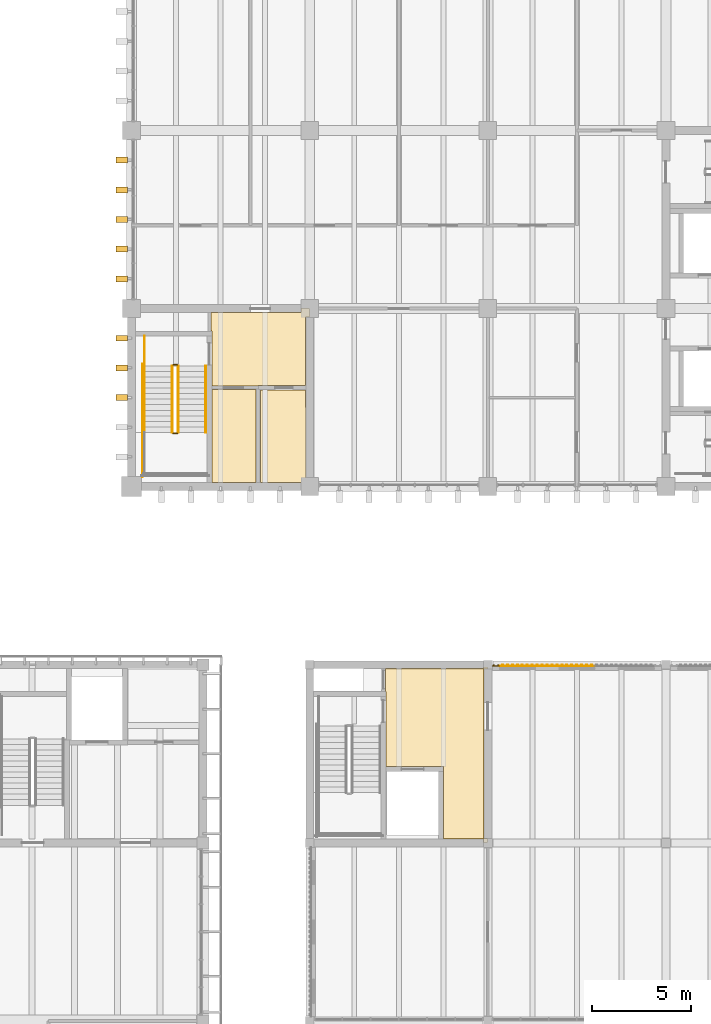
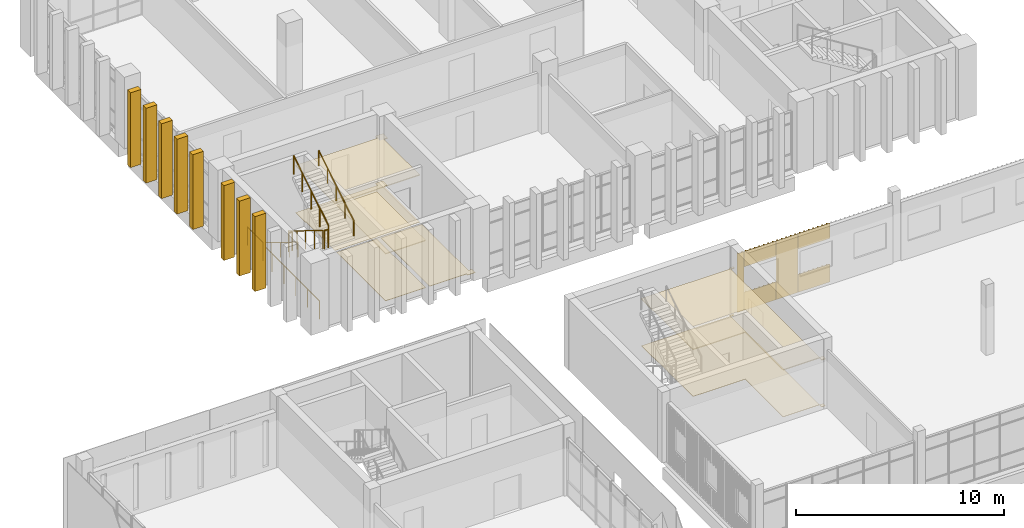
# One storey, part 83 of 88: 13 coverings, 8 railings, 8 shading devices.
"""IFC4 building model written with IfcOpenShell, lengths in metres."""

from ifc_helpers import new_model, si_unit, direction, frame, origin, origin_2d, place, context, subcontext, project, spatial, polyline, circle, outline, extrude, source, transform, mapped, material, layer, layer_set, type_object, element, save


model = new_model("IFC4")

# Units and contexts
model_context = context("Model", 3, precision=1e-05, world=origin(), true_north=direction((0.0, 1.0)))
body_context = subcontext(model_context, "Body", "Model", "MODEL_VIEW")
ifc_project = project(units=[si_unit("LENGTHUNIT", "METRE"), si_unit("AREAUNIT", "SQUARE_METRE"), si_unit("VOLUMEUNIT", "CUBIC_METRE"), si_unit("PLANEANGLEUNIT", "RADIAN"), si_unit("MASSUNIT", "GRAM", prefix="KILO")], contexts=[model_context])

# Site, building, storey
site_placement = place(None, origin())
site = spatial("IfcSite", under=ifc_project, at=site_placement, CompositionType="ELEMENT")
building_placement = place(site_placement, origin())
building = spatial("IfcBuilding", under=site, at=building_placement, Name="Merrow Basin Faculty of Sciences", CompositionType="ELEMENT")
storey_placement = place(building_placement, frame((0.0, 0.0, 9.0)))
storey = spatial("IfcBuildingStorey", under=building, at=storey_placement, Name="L02", CompositionType="ELEMENT", Elevation=9.0)

# Coverings
ifc_material_1 = material(Name="Carpet tile floor")
ifc_layer_1 = layer(ifc_material_1, 0.02001953125)
ifc_layer_set_1 = layer_set([ifc_layer_1], Name="Carpet tile floor")
covering_type_1 = type_object("IfcCoveringType", Name="Carpet tile floor", PredefinedType="FLOORING", material=ifc_layer_set_1)
covering_1_placement = place(storey_placement, origin())
element("IfcCovering", 1, at=covering_1_placement, inside=storey, type_object=covering_type_1, Name="Floor finish L02-T-011", PredefinedType="FLOORING", context=body_context, shape_type="SweptSolid", body=[
    extrude(outline(polyline([(26.989990234375, 142.110107421875), (26.56005859375, 142.110107421875), (26.56005859375, 142.2099609375), (24.510009765625, 142.2099609375), (24.510009765625, 146.889892578125), (26.7900390625, 146.889892578125), (26.7900390625, 142.43994140625), (26.989990234375, 142.43994140625), (26.989990234375, 142.110107421875)])), origin(), (0.0, 0.0, 1.0), 0.02001953125),
])
ifc_material_2 = material(Name="Ceramic floor tile")
ifc_layer_2 = layer(ifc_material_2, 0.02001953125)
ifc_layer_set_2 = layer_set([ifc_layer_2], Name="Ceramic floor tile")
covering_type_2 = type_object("IfcCoveringType", Name="Ceramic floor tile", PredefinedType="FLOORING", material=ifc_layer_set_2)
covering_2_placement = place(storey_placement, origin())
element("IfcCovering", 2, at=covering_2_placement, inside=storey, type_object=covering_type_2, Name="Floor finish L02-T-010", PredefinedType="FLOORING", context=body_context, shape_type="SweptSolid", body=[
    extrude(outline(polyline([(24.2900390625, 146.9150390625), (24.2900390625, 142.2099609375), (22.06005859375, 142.2099609375), (22.06005859375, 146.9150390625), (24.2900390625, 146.9150390625)])), origin(), (0.0, 0.0, 1.0), 0.02001953125),
])
ifc_material_3 = material(Name="Polished terrazzo floor")
ifc_layer_3 = layer(ifc_material_3, 0.02001953125)
ifc_layer_set_3 = layer_set([ifc_layer_3], Name="Polished terrazzo floor")
covering_type_3 = type_object("IfcCoveringType", Name="Polished terrazzo floor", PredefinedType="FLOORING", material=ifc_layer_set_3)
covering_3_placement = place(storey_placement, origin())
element("IfcCovering", 3, at=covering_3_placement, inside=storey, type_object=covering_type_3, Name="Floor finish L02-T-009", PredefinedType="FLOORING", context=body_context, shape_type="SweptSolid", body=[
    extrude(outline(polyline([(26.989990234375, 150.989990234375), (26.989990234375, 150.56005859375), (26.7900390625, 150.56005859375), (26.7900390625, 147.110107421875), (24.389892578125, 147.110107421875), (24.389892578125, 147.0849609375), (22.06005859375, 147.0849609375), (22.06005859375, 149.860107421875), (22.010009765625, 149.860107421875), (22.010009765625, 150.7900390625), (26.56005859375, 150.7900390625), (26.56005859375, 150.989990234375), (26.989990234375, 150.989990234375)])), origin(), (0.0, 0.0, 1.0), 0.02001953125),
])
covering_4_placement = place(storey_placement, origin())
element("IfcCovering", 4, at=covering_4_placement, inside=storey, type_object=covering_type_3, Name="Floor finish L02-C-015", PredefinedType="FLOORING", context=body_context, shape_type="SweptSolid", body=[
    extrude(outline(polyline([(35.989990234375, 132.889892578125), (35.989990234375, 132.784912109375), (35.7900390625, 132.784912109375), (35.7900390625, 124.215087890625), (35.989990234375, 124.215087890625), (35.989990234375, 124.010009765625), (35.784912109375, 124.010009765625), (35.784912109375, 124.2099609375), (33.760009765625, 124.2099609375), (33.760009765625, 127.860107421875), (30.860107421875, 127.860107421875), (30.860107421875, 131.659912109375), (30.8349609375, 131.659912109375), (30.8349609375, 132.7900390625), (35.784912109375, 132.7900390625), (35.784912109375, 132.889892578125), (35.989990234375, 132.889892578125)])), origin(), (0.0, 0.0, 1.0), 0.02001953125),
])

# Railings
ifc_material_4 = material(Name="Steel ASTM A36", Category="steel")
railing_type_1 = type_object("IfcRailingType", Name="Steel guard 1100", PredefinedType="GUARDRAIL", material=ifc_material_4)
railing_1_placement = place(storey_placement, frame((20.050048828125, 148.10009765625, 0.173095703125)))
element("IfcRailing", 5, at=railing_1_placement, inside=storey, type_object=railing_type_1, Name="L02 ST-V5-W stair guard 1", PredefinedType="GUARDRAIL", context=body_context, shape_type="SweptSolid", body=[
    extrude(circle(Radius=0.02392578125, at=origin_2d()), frame((0.0, 0.0, 1.076171875), z_axis=(0.0, -0.850623216509, 0.525775754039), x_axis=(1.0, 0.0, 0.0)), (0.0, 0.0, 1.0), 3.9501953125),
    extrude(circle(Radius=0.02099609375, at=origin_2d()), origin(), (0.0, 0.0, 1.0), 1.052001953125),
    extrude(circle(Radius=0.02099609375, at=origin_2d()), frame((0.0, -0.840087890625, 0.519287109375)), (0.0, 0.0, 1.0), 1.052001953125),
    extrude(circle(Radius=0.02099609375, at=origin_2d()), frame((0.0, -1.68017578125, 1.03857421875)), (0.0, 0.0, 1.0), 1.052001953125),
    extrude(circle(Radius=0.02099609375, at=origin_2d()), frame((0.0, -2.52001953125, 1.5576171875)), (0.0, 0.0, 1.0), 1.052001953125),
    extrude(circle(Radius=0.02099609375, at=origin_2d()), frame((0.0, -3.360107421875, 2.076904296875)), (0.0, 0.0, 1.0), 1.052001953125),
])
railing_2_placement = place(storey_placement, frame((20.10009765625, 144.68994140625, 2.25)))
element("IfcRailing", 6, at=railing_2_placement, inside=storey, type_object=railing_type_1, Name="L02 ST-V5-W stair guard 2", PredefinedType="GUARDRAIL", context=body_context, shape_type="SweptSolid", body=[
    extrude(circle(Radius=0.02392578125, at=origin_2d()), frame((0.0, 0.0, 1.076171875), z_axis=(1.0, 0.0, 0.0), x_axis=(0.0, 1.0, 0.0)), (0.0, 0.0, 1.0), 0.199951171875),
    extrude(circle(Radius=0.02099609375, at=origin_2d()), origin(), (0.0, 0.0, 1.0), 1.052001953125),
    extrude(circle(Radius=0.02099609375, at=origin_2d()), frame((0.199951171875, 0.0, 0.0)), (0.0, 0.0, 1.0), 1.052001953125),
])
railing_3_placement = place(storey_placement, frame((20.35009765625, 144.739990234375, 2.423095703125)))
element("IfcRailing", 7, at=railing_3_placement, inside=storey, type_object=railing_type_1, Name="L02 ST-V5-W stair guard 5", PredefinedType="GUARDRAIL", context=body_context, shape_type="SweptSolid", body=[
    extrude(circle(Radius=0.02392578125, at=origin_2d()), frame((0.0, 0.0, 1.076171875), z_axis=(0.0, 0.850623216509, 0.525775754039), x_axis=(-1.0, 0.0, 0.0)), (0.0, 0.0, 1.0), 3.9501953125),
    extrude(circle(Radius=0.02099609375, at=origin_2d()), origin(), (0.0, 0.0, 1.0), 1.052001953125),
    extrude(circle(Radius=0.02099609375, at=origin_2d()), frame((0.0, 0.840087890625, 0.519287109375)), (0.0, 0.0, 1.0), 1.052001953125),
    extrude(circle(Radius=0.02099609375, at=origin_2d()), frame((0.0, 1.68017578125, 1.03857421875)), (0.0, 0.0, 1.0), 1.052001953125),
    extrude(circle(Radius=0.02099609375, at=origin_2d()), frame((0.0, 2.52001953125, 1.5576171875)), (0.0, 0.0, 1.0), 1.052001953125),
    extrude(circle(Radius=0.02099609375, at=origin_2d()), frame((0.0, 3.360107421875, 2.076904296875)), (0.0, 0.0, 1.0), 1.052001953125),
])
railing_4_placement = place(storey_placement, frame((20.10009765625, 148.14990234375, 0.0)))
element("IfcRailing", 8, at=railing_4_placement, inside=storey, type_object=railing_type_1, Name="L02 ST-V5-W stair guard 6", PredefinedType="GUARDRAIL", context=body_context, shape_type="SweptSolid", body=[
    extrude(circle(Radius=0.02392578125, at=origin_2d()), frame((0.0, 0.0, 1.076171875), z_axis=(1.0, 0.0, 0.0), x_axis=(0.0, 1.0, 0.0)), (0.0, 0.0, 1.0), 0.199951171875),
    extrude(circle(Radius=0.02099609375, at=origin_2d()), origin(), (0.0, 0.0, 1.0), 1.052001953125),
    extrude(circle(Radius=0.02099609375, at=origin_2d()), frame((0.199951171875, 0.0, 0.0)), (0.0, 0.0, 1.0), 1.052001953125),
])
railing_5_placement = place(storey_placement, frame((18.64990234375, 149.60009765625, 0.0)))
element("IfcRailing", 9, at=railing_5_placement, inside=storey, type_object=railing_type_1, Name="L02 ST-V5-W stair guard 7", PredefinedType="GUARDRAIL", context=body_context, shape_type="SweptSolid", body=[
    extrude(circle(Radius=0.02392578125, at=origin_2d()), frame((0.0, 0.0, 1.076171875), z_axis=(0.0, -1.0, 0.0), x_axis=(1.0, 0.0, 0.0)), (0.0, 0.0, 1.0), 1.5),
    extrude(circle(Radius=0.02099609375, at=origin_2d()), origin(), (0.0, 0.0, 1.0), 1.052001953125),
    extrude(circle(Radius=0.02099609375, at=origin_2d()), frame((0.0, -0.75, 0.0)), (0.0, 0.0, 1.0), 1.052001953125),
    extrude(circle(Radius=0.02099609375, at=origin_2d()), frame((0.0, -1.5, 0.0)), (0.0, 0.0, 1.0), 1.052001953125),
])
railing_6_placement = place(storey_placement, frame((18.550048828125, 148.199951171875, 0.0)))
element("IfcRailing", 10, at=railing_6_placement, inside=storey, type_object=railing_type_1, Name="L02 ST-V5-W stair guard 8", PredefinedType="GUARDRAIL", context=body_context, shape_type="SweptSolid", body=[
    extrude(circle(Radius=0.02392578125, at=origin_2d()), frame((0.0, 0.0, 1.076171875), z_axis=(0.0, -1.0, 0.0), x_axis=(1.0, 0.0, 0.0)), (0.0, 0.0, 1.0), 5.699951171875),
    extrude(circle(Radius=0.02099609375, at=origin_2d()), origin(), (0.0, 0.0, 1.0), 1.052001953125),
    extrude(circle(Radius=0.02099609375, at=origin_2d()), frame((0.0, -1.139892578125, 0.0)), (0.0, 0.0, 1.0), 1.052001953125),
    extrude(circle(Radius=0.02099609375, at=origin_2d()), frame((0.0, -2.280029296875, 0.0)), (0.0, 0.0, 1.0), 1.052001953125),
    extrude(circle(Radius=0.02099609375, at=origin_2d()), frame((0.0, -3.419921875, 0.0)), (0.0, 0.0, 1.0), 1.052001953125),
    extrude(circle(Radius=0.02099609375, at=origin_2d()), frame((0.0, -4.56005859375, 0.0)), (0.0, 0.0, 1.0), 1.052001953125),
    extrude(circle(Radius=0.02099609375, at=origin_2d()), frame((0.0, -5.699951171875, 0.0)), (0.0, 0.0, 1.0), 1.052001953125),
])
ifc_material_5 = material(Name="Steel ASTM A36", Category="steel")
railing_type_2 = type_object("IfcRailingType", Name="Steel handrail 900", PredefinedType="HANDRAIL", material=ifc_material_5)
railing_7_placement = place(storey_placement, frame((18.64990234375, 148.10009765625, 0.173095703125)))
element("IfcRailing", 11, at=railing_7_placement, inside=storey, type_object=railing_type_2, Name="L02 ST-V5-W stair handrail 1", PredefinedType="HANDRAIL", context=body_context, shape_type="SweptSolid", body=[
    extrude(circle(Radius=0.02392578125, at=origin_2d()), frame((0.0, 0.0, 0.8759765625), z_axis=(0.0, -0.850623216509, 0.525775754039), x_axis=(1.0, 0.0, 0.0)), (0.0, 0.0, 1.0), 3.9501953125),
    extrude(circle(Radius=0.02099609375, at=origin_2d()), origin(), (0.0, 0.0, 1.0), 0.851806640625),
    extrude(circle(Radius=0.02099609375, at=origin_2d()), frame((0.0, -0.840087890625, 0.519287109375)), (0.0, 0.0, 1.0), 0.851806640625),
    extrude(circle(Radius=0.02099609375, at=origin_2d()), frame((0.0, -1.68017578125, 1.03857421875)), (0.0, 0.0, 1.0), 0.851806640625),
    extrude(circle(Radius=0.02099609375, at=origin_2d()), frame((0.0, -2.52001953125, 1.5576171875)), (0.0, 0.0, 1.0), 0.851806640625),
    extrude(circle(Radius=0.02099609375, at=origin_2d()), frame((0.0, -3.360107421875, 2.076904296875)), (0.0, 0.0, 1.0), 0.851806640625),
])
railing_8_placement = place(storey_placement, frame((21.75, 144.739990234375, 2.423095703125)))
element("IfcRailing", 12, at=railing_8_placement, inside=storey, type_object=railing_type_2, Name="L02 ST-V5-W stair handrail 2", PredefinedType="HANDRAIL", context=body_context, shape_type="SweptSolid", body=[
    extrude(circle(Radius=0.02392578125, at=origin_2d()), frame((0.0, 0.0, 0.8759765625), z_axis=(0.0, 0.850623216509, 0.525775754039), x_axis=(-1.0, 0.0, 0.0)), (0.0, 0.0, 1.0), 3.9501953125),
    extrude(circle(Radius=0.02099609375, at=origin_2d()), origin(), (0.0, 0.0, 1.0), 0.851806640625),
    extrude(circle(Radius=0.02099609375, at=origin_2d()), frame((0.0, 0.840087890625, 0.519287109375)), (0.0, 0.0, 1.0), 0.851806640625),
    extrude(circle(Radius=0.02099609375, at=origin_2d()), frame((0.0, 1.68017578125, 1.03857421875)), (0.0, 0.0, 1.0), 0.851806640625),
    extrude(circle(Radius=0.02099609375, at=origin_2d()), frame((0.0, 2.52001953125, 1.5576171875)), (0.0, 0.0, 1.0), 0.851806640625),
    extrude(circle(Radius=0.02099609375, at=origin_2d()), frame((0.0, 3.360107421875, 2.076904296875)), (0.0, 0.0, 1.0), 0.851806640625),
])

# Coverings
ifc_material_6 = material(Name="Mineral fibre ceiling tile")
ifc_layer_4 = layer(ifc_material_6, 0.050048828125)
ifc_layer_set_4 = layer_set([ifc_layer_4], Name="Suspended acoustic ceiling tile")
covering_type_4 = type_object("IfcCoveringType", Name="Suspended acoustic ceiling tile", PredefinedType="CEILING", material=ifc_layer_set_4)
covering_5_placement = place(storey_placement, frame((0.0, 0.0, 2.75)))
element("IfcCovering", 13, at=covering_5_placement, inside=storey, type_object=covering_type_4, Name="Ceiling L02-T-009", PredefinedType="CEILING", context=body_context, shape_type="SweptSolid", body=[
    extrude(outline(polyline([(26.989990234375, 150.989990234375), (26.989990234375, 150.56005859375), (26.7900390625, 150.56005859375), (26.7900390625, 147.110107421875), (24.389892578125, 147.110107421875), (24.389892578125, 147.0849609375), (22.06005859375, 147.0849609375), (22.06005859375, 149.860107421875), (22.010009765625, 149.860107421875), (22.010009765625, 150.7900390625), (26.56005859375, 150.7900390625), (26.56005859375, 150.989990234375), (26.989990234375, 150.989990234375)])), origin(), (0.0, 0.0, 1.0), 0.050048828125),
])
covering_6_placement = place(storey_placement, frame((0.0, 0.0, 2.75)))
element("IfcCovering", 14, at=covering_6_placement, inside=storey, type_object=covering_type_4, Name="Ceiling L02-T-010", PredefinedType="CEILING", context=body_context, shape_type="SweptSolid", body=[
    extrude(outline(polyline([(24.2900390625, 146.9150390625), (24.2900390625, 142.2099609375), (22.06005859375, 142.2099609375), (22.06005859375, 146.9150390625), (24.2900390625, 146.9150390625)])), origin(), (0.0, 0.0, 1.0), 0.050048828125),
])
covering_7_placement = place(storey_placement, frame((0.0, 0.0, 2.75)))
element("IfcCovering", 15, at=covering_7_placement, inside=storey, type_object=covering_type_4, Name="Ceiling L02-C-015", PredefinedType="CEILING", context=body_context, shape_type="SweptSolid", body=[
    extrude(outline(polyline([(36.0, 132.89990234375), (36.0, 132.77490234375), (35.800048828125, 132.77490234375), (35.800048828125, 124.22509765625), (36.0, 124.22509765625), (36.0, 124.0), (35.77490234375, 124.0), (35.77490234375, 124.199951171875), (33.75, 124.199951171875), (33.75, 127.85009765625), (30.85009765625, 127.85009765625), (30.85009765625, 131.64990234375), (30.824951171875, 131.64990234375), (30.824951171875, 132.800048828125), (35.77490234375, 132.800048828125), (35.77490234375, 132.89990234375), (36.0, 132.89990234375)])), origin(), (0.0, 0.0, 1.0), 0.050048828125),
])
ifc_material_7 = material(Name="Larch timber", Category="wood")
ifc_layer_5 = layer(ifc_material_7, 0.0849609375)
ifc_layer_set_5 = layer_set([ifc_layer_5], Name="Larch batten cladding 85")
covering_type_5 = type_object("IfcCoveringType", Name="Larch batten cladding 85", PredefinedType="CLADDING", material=ifc_layer_set_5)
shared_shape_1 = source(origin(), body_context, "Body", "SweptSolid", [
    extrude(outline(polyline([(0.0, 0.0), (1.800048828125, 0.0), (1.800048828125, 0.02490234375), (1.675048828125, 0.02490234375), (1.675048828125, 0.0849609375), (1.625, 0.0849609375), (1.625, 0.02490234375), (1.425048828125, 0.02490234375), (1.425048828125, 0.0849609375), (1.375, 0.0849609375), (1.375, 0.02490234375), (1.175048828125, 0.02490234375), (1.175048828125, 0.0849609375), (1.125, 0.0849609375), (1.125, 0.02490234375), (0.925048828125, 0.02490234375), (0.925048828125, 0.0849609375), (0.875, 0.0849609375), (0.875, 0.02490234375), (0.675048828125, 0.02490234375), (0.675048828125, 0.0849609375), (0.625, 0.0849609375), (0.625, 0.02490234375), (0.425048828125, 0.02490234375), (0.425048828125, 0.0849609375), (0.375, 0.0849609375), (0.375, 0.02490234375), (0.175048828125, 0.02490234375), (0.175048828125, 0.0849609375), (0.125, 0.0849609375), (0.125, 0.02490234375), (0.0, 0.02490234375), (0.0, 0.0)])), origin(), (0.0, 0.0, 1.0), 0.89990234375),
])
for number, where, z_axis, x_axis, name in (
    (16, (36.60009765625, 132.9150390625, 2.550048828125), (0.0, 0.0, 1.0), (1.0, 0.0, 0.0), "Larch batten cladding"),
    (17, (39.60009765625, 132.9150390625, 2.550048828125), (0.0, 0.0, 1.0), (1.0, 0.0, 0.0), "Larch batten cladding"),
):
    element("IfcCovering", number, at=place(storey_placement, frame(where, z_axis=z_axis, x_axis=x_axis)), inside=storey, type_object=covering_type_5, Name=name, PredefinedType="CLADDING", context=body_context, shape_type="MappedRepresentation", body=[
        mapped(shared_shape_1, transform((0.0, 0.0, 0.0), scale=1.0)),
    ])
shared_shape_2 = source(origin(), body_context, "Body", "SweptSolid", [
    extrude(outline(polyline([(0.0, 0.0), (0.375, 0.0), (0.375, 0.02490234375), (0.3369140625, 0.02490234375), (0.3369140625, 0.0849609375), (0.287109375, 0.0849609375), (0.287109375, 0.02490234375), (0.0869140625, 0.02490234375), (0.0869140625, 0.0849609375), (0.037109375, 0.0849609375), (0.037109375, 0.02490234375), (0.0, 0.02490234375), (0.0, 0.0)])), origin(), (0.0, 0.0, 1.0), 3.449951171875),
])
covering_8_placement = place(storey_placement, frame((36.22509765625, 132.9150390625, 0.0), z_axis=(0.0, 0.0, 1.0), x_axis=(1.0, 0.0, 0.0)))
element("IfcCovering", 18, at=covering_8_placement, inside=storey, type_object=covering_type_5, Name="Larch batten cladding", PredefinedType="CLADDING", context=body_context, shape_type="MappedRepresentation", body=[
    mapped(shared_shape_2, transform((0.0, 0.0, 0.0), scale=1.0)),
])
shared_shape_3 = source(origin(), body_context, "Body", "SweptSolid", [
    extrude(outline(polyline([(0.0, 0.0), (1.800048828125, 0.0), (1.800048828125, 0.02490234375), (1.675048828125, 0.02490234375), (1.675048828125, 0.0849609375), (1.625, 0.0849609375), (1.625, 0.02490234375), (1.425048828125, 0.02490234375), (1.425048828125, 0.0849609375), (1.375, 0.0849609375), (1.375, 0.02490234375), (1.175048828125, 0.02490234375), (1.175048828125, 0.0849609375), (1.125, 0.0849609375), (1.125, 0.02490234375), (0.925048828125, 0.02490234375), (0.925048828125, 0.0849609375), (0.875, 0.0849609375), (0.875, 0.02490234375), (0.675048828125, 0.02490234375), (0.675048828125, 0.0849609375), (0.625, 0.0849609375), (0.625, 0.02490234375), (0.425048828125, 0.02490234375), (0.425048828125, 0.0849609375), (0.375, 0.0849609375), (0.375, 0.02490234375), (0.175048828125, 0.02490234375), (0.175048828125, 0.0849609375), (0.125, 0.0849609375), (0.125, 0.02490234375), (0.0, 0.02490234375), (0.0, 0.0)])), origin(), (0.0, 0.0, 1.0), 1.050048828125),
])
for number, where, z_axis, x_axis, name in (
    (19, (36.60009765625, 132.9150390625, 0.0), (0.0, 0.0, 1.0), (1.0, 0.0, 0.0), "Larch batten cladding"),
    (20, (39.60009765625, 132.9150390625, 0.0), (0.0, 0.0, 1.0), (1.0, 0.0, 0.0), "Larch batten cladding"),
):
    element("IfcCovering", number, at=place(storey_placement, frame(where, z_axis=z_axis, x_axis=x_axis)), inside=storey, type_object=covering_type_5, Name=name, PredefinedType="CLADDING", context=body_context, shape_type="MappedRepresentation", body=[
        mapped(shared_shape_3, transform((0.0, 0.0, 0.0), scale=1.0)),
    ])
shared_shape_4 = source(origin(), body_context, "Body", "SweptSolid", [
    extrude(outline(polyline([(0.0, 0.0), (1.199951171875, 0.0), (1.199951171875, 0.02490234375), (1.125, 0.02490234375), (1.125, 0.0849609375), (1.074951171875, 0.0849609375), (1.074951171875, 0.02490234375), (0.875, 0.02490234375), (0.875, 0.0849609375), (0.824951171875, 0.0849609375), (0.824951171875, 0.02490234375), (0.625, 0.02490234375), (0.625, 0.0849609375), (0.574951171875, 0.0849609375), (0.574951171875, 0.02490234375), (0.375, 0.02490234375), (0.375, 0.0849609375), (0.324951171875, 0.0849609375), (0.324951171875, 0.02490234375), (0.125, 0.02490234375), (0.125, 0.0849609375), (0.074951171875, 0.0849609375), (0.074951171875, 0.02490234375), (0.0, 0.02490234375), (0.0, 0.0)])), origin(), (0.0, 0.0, 1.0), 3.449951171875),
])
covering_9_placement = place(storey_placement, frame((38.39990234375, 132.9150390625, 0.0), z_axis=(0.0, 0.0, 1.0), x_axis=(1.0, 0.0, 0.0)))
element("IfcCovering", 21, at=covering_9_placement, inside=storey, type_object=covering_type_5, Name="Larch batten cladding", PredefinedType="CLADDING", context=body_context, shape_type="MappedRepresentation", body=[
    mapped(shared_shape_4, transform((0.0, 0.0, 0.0), scale=1.0)),
])

# Shading devices
ifc_material_8 = material(Name="White precast concrete C50/60", Category="concrete")
shading_device_type = type_object("IfcShadingDeviceType", Name="White precast fin 300 x 600", PredefinedType="USERDEFINED", material=ifc_material_8)
shared_shape_5 = source(origin(), body_context, "Body", "SweptSolid", [
    extrude(outline(polyline([(0.0, 0.0), (0.300048828125, 0.0), (0.300048828125, 4.39990234375), (0.0, 4.39990234375), (0.0, 0.0)])), origin(), (0.0, 0.0, 1.0), 0.60009765625),
])
for number, where, z_axis, x_axis, name in (
    (22, (17.800048828125, 146.64990234375, -0.25), (-1.0, 0.0, 0.0), (0.0, -1.0, 0.0), "Brise-soleil fin WL02"),
    (23, (17.800048828125, 148.14990234375, -0.25), (-1.0, 0.0, 0.0), (0.0, -1.0, 0.0), "Brise-soleil fin WL02"),
    (24, (17.800048828125, 149.64990234375, -0.25), (-1.0, 0.0, 0.0), (0.0, -1.0, 0.0), "Brise-soleil fin WL02"),
    (25, (17.800048828125, 152.64990234375, -0.25), (-1.0, 0.0, 0.0), (0.0, -1.0, 0.0), "Brise-soleil fin WL02"),
    (26, (17.800048828125, 154.14990234375, -0.25), (-1.0, 0.0, 0.0), (0.0, -1.0, 0.0), "Brise-soleil fin WL02"),
    (27, (17.800048828125, 155.64990234375, -0.25), (-1.0, 0.0, 0.0), (0.0, -1.0, 0.0), "Brise-soleil fin WL02"),
    (28, (17.800048828125, 157.14990234375, -0.25), (-1.0, 0.0, 0.0), (0.0, -1.0, 0.0), "Brise-soleil fin WL02"),
    (29, (17.800048828125, 158.64990234375, -0.25), (-1.0, 0.0, 0.0), (0.0, -1.0, 0.0), "Brise-soleil fin WL02"),
):
    element("IfcShadingDevice", number, at=place(storey_placement, frame(where, z_axis=z_axis, x_axis=x_axis)), inside=storey, type_object=shading_device_type, Name=name, ObjectType="FIN", PredefinedType="USERDEFINED", context=body_context, shape_type="MappedRepresentation", body=[
        mapped(shared_shape_5, transform((0.0, 0.0, 0.0), scale=1.0)),
    ])

save(model, "model.ifc")
